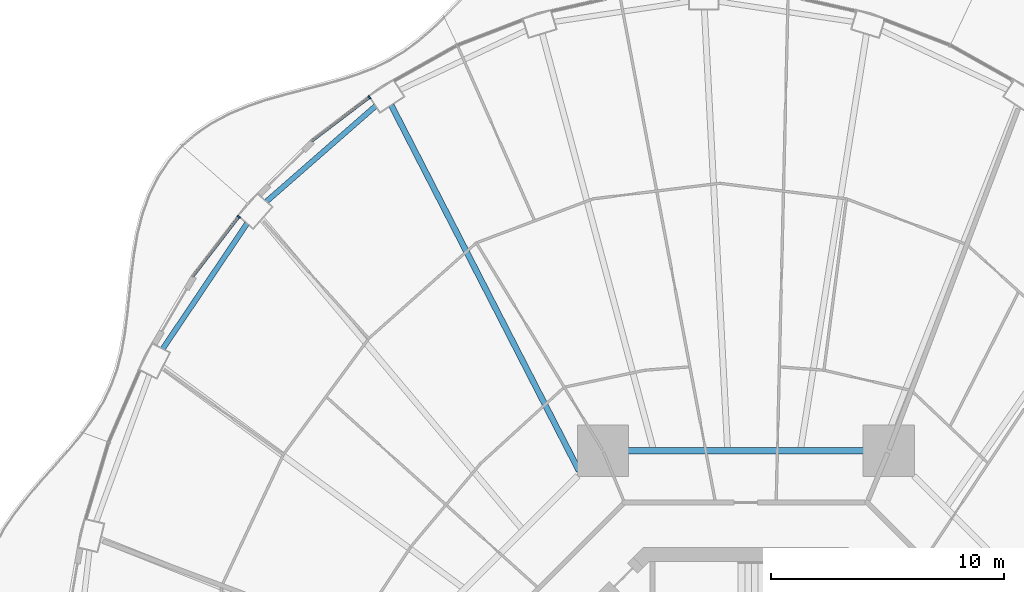
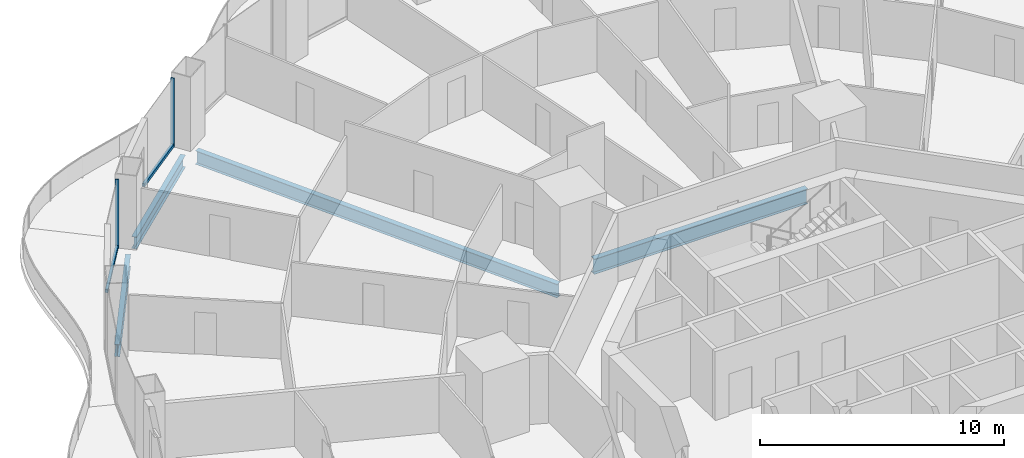
# One storey, part 8 of 22: 4 beams, 4 members, 2 elements without a shape of their own.
"""IFC4 building model written with IfcOpenShell, lengths in metres."""

from ifc_helpers import new_model, si_unit, direction, frame, origin, origin_2d, place, context, subcontext, project, spatial, rectangle, i_section, extrude, material, layer, layer_set, material_profile, profile_set, type_object, element, aggregate, save


model = new_model("IFC4")

# Units and contexts
model_context = context("Model", 3, precision=1e-05, world=origin(), true_north=direction((0.0, 1.0)))
body_context = subcontext(model_context, "Body", "Model", "MODEL_VIEW")
ifc_project = project(units=[si_unit("LENGTHUNIT", "METRE"), si_unit("AREAUNIT", "SQUARE_METRE"), si_unit("VOLUMEUNIT", "CUBIC_METRE"), si_unit("PLANEANGLEUNIT", "RADIAN"), si_unit("MASSUNIT", "GRAM", prefix="KILO")], contexts=[model_context])

# Site, building, storey
site_placement = place(None, origin())
site = spatial("IfcSite", under=ifc_project, at=site_placement, CompositionType="ELEMENT")
building_placement = place(site_placement, origin())
building = spatial("IfcBuilding", under=site, at=building_placement, Name="Nagisa Residences", CompositionType="ELEMENT")
storey_placement = place(building_placement, frame((0.0, 0.0, 106.60009765625)))
storey = spatial("IfcBuildingStorey", under=building, at=storey_placement, Name="L26", CompositionType="ELEMENT", Elevation=106.60009765625)

# Curtain wall, member
ifc_material_1 = material(Name="Concrete-coloured aluminium curtain wall system", Category="concrete")
ifc_layer = layer(ifc_material_1, 0.159912109375)
ifc_layer_set = layer_set([ifc_layer], Name="CW1 CURTAIN WALL")
curtain_wall_type = type_object("IfcCurtainWallType", Name="CW1 CURTAIN WALL", PredefinedType="NOTDEFINED", material=ifc_layer_set)
curtain_wall_1_placement = place(storey_placement, origin())
curtain_wall_1 = element("IfcCurtainWall", 1, at=curtain_wall_1_placement, inside=storey, type_object=curtain_wall_type, Name="cw:CW1:L26:16", PredefinedType="NOTDEFINED")
ifc_material_2 = material(Name="Concrete-coloured aluminium", Category="concrete")
ifc_material_profile_1 = material_profile(ifc_material_2, rectangle(XDim=0.159912109375, YDim=0.06005859375, at=origin_2d()), Name="CW1 MULLION 160x60")
ifc_profile_set_1 = profile_set([ifc_material_profile_1], Name="Concrete-coloured aluminium")
member_type_1 = type_object("IfcMemberType", Name="CW1 MULLION 160x60", PredefinedType="MULLION", material=ifc_profile_set_1)
member_1_placement = place(storey_placement, frame((-16.140380859375, 29.935302734375, 0.0), z_axis=(0.0, 0.0, 1.0), x_axis=(0.605255421737, -0.79603132756, 0.0)))
member_1 = element("IfcMember", 2, at=member_1_placement, type_object=member_type_1, Name="CW1 mullion", PredefinedType="MULLION", context=body_context, shape_type="SweptSolid", body=[
    extrude(rectangle(XDim=0.159912109375, YDim=0.06005859375, at=origin_2d()), origin(), (0.0, 0.0, 1.0), 3.43994140625),
])

curtain_wall_2_placement = place(storey_placement, origin())
curtain_wall_2 = element("IfcCurtainWall", 3, at=curtain_wall_2_placement, inside=storey, type_object=curtain_wall_type, Name="cw:CW1:L26:18", PredefinedType="NOTDEFINED")
member_2_placement = place(storey_placement, frame((-21.735107421875, 24.814697265625, 0.0), z_axis=(0.0, 0.0, 1.0), x_axis=(0.792070340816, -0.610429828235, 0.0)))
member_2 = element("IfcMember", 4, at=member_2_placement, type_object=member_type_1, Name="CW1 mullion", PredefinedType="MULLION", context=body_context, shape_type="SweptSolid", body=[
    extrude(rectangle(XDim=0.159912109375, YDim=0.06005859375, at=origin_2d()), origin(), (0.0, 0.0, 1.0), 3.43994140625),
])

# Member
ifc_material_3 = material(Name="Concrete-coloured aluminium", Category="concrete")
ifc_material_profile_2 = material_profile(ifc_material_3, rectangle(XDim=0.1201171875, YDim=0.14990234375, at=origin_2d()), Name="CW1 TRANSOM 120x150")
ifc_profile_set_2 = profile_set([ifc_material_profile_2], Name="Concrete-coloured aluminium")
member_type_2 = type_object("IfcMemberType", Name="CW1 TRANSOM 120x150", PredefinedType="USERDEFINED", material=ifc_profile_set_2)
member_3_placement = place(storey_placement, frame((-16.116455078125, 29.953369140625, 0.074951171875), z_axis=(-0.796066111963, -0.605209670598, 0.0), x_axis=(0.605209670598, -0.796066111963, 0.0)))
member_3 = element("IfcMember", 5, at=member_3_placement, type_object=member_type_2, Name="CW1 transom", ObjectType="TRANSOM", PredefinedType="USERDEFINED", context=body_context, shape_type="SweptSolid", body=[
    extrude(rectangle(XDim=0.1201171875, YDim=0.14990234375, at=origin_2d()), origin(), (0.0, 0.0, 1.0), 3.134033203125),
])

aggregate(curtain_wall_1, [member_1, member_3])

member_4_placement = place(storey_placement, frame((-21.716796875, 24.83837890625, 0.074951171875), z_axis=(-0.61041202934, -0.792084057684, 0.0), x_axis=(0.792084057684, -0.61041202934, 0.0)))
member_4 = element("IfcMember", 6, at=member_4_placement, type_object=member_type_2, Name="CW1 transom", ObjectType="TRANSOM", PredefinedType="USERDEFINED", context=body_context, shape_type="SweptSolid", body=[
    extrude(rectangle(XDim=0.1201171875, YDim=0.14990234375, at=origin_2d()), origin(), (0.0, 0.0, 1.0), 3.262939453125),
])

aggregate(curtain_wall_2, [member_2, member_4])

# Beams
ifc_material_4 = material(Name="Steel ASTM A572 Gr 50", Category="steel")
ifc_material_profile_3 = material_profile(ifc_material_4, i_section(OverallWidth=0.264892578125, OverallDepth=0.7529296875, WebThickness=0.01318359375, FlangeThickness=0.01708984375, at=origin_2d()), Name="W760x147")
ifc_profile_set_3 = profile_set([ifc_material_profile_3], Name="Steel ASTM A572 Gr 50")
beam_type_1 = type_object("IfcBeamType", Name="Inner ring beam W760x147", PredefinedType="BEAM", material=ifc_profile_set_3)
beam_1_placement = place(storey_placement, frame((5.04296875, 14.781982421875, -0.63671875), z_axis=(-1.0, 0.0, 0.0), x_axis=(0.0, -1.0, 0.0)))
element("IfcBeam", 7, at=beam_1_placement, inside=storey, type_object=beam_type_1, Name="beam:L26:ib2", PredefinedType="BEAM", context=body_context, shape_type="SweptSolid", body=[
    extrude(i_section(OverallWidth=0.264892578125, OverallDepth=0.7529296875, WebThickness=0.01318359375, FlangeThickness=0.01708984375, at=origin_2d()), origin(), (0.0, 0.0, 1.0), 10.0859375),
])
ifc_material_5 = material(Name="Steel ASTM A572 Gr 50", Category="steel")
ifc_material_profile_4 = material_profile(ifc_material_5, i_section(OverallWidth=0.22802734375, OverallDepth=0.60302734375, WebThickness=0.010498046875, FlangeThickness=0.014892578125, at=origin_2d()), Name="W610x101")
ifc_profile_set_4 = profile_set([ifc_material_profile_4], Name="Steel ASTM A572 Gr 50")
beam_type_2 = type_object("IfcBeamType", Name="Perimeter ring beam W610x101", PredefinedType="BEAM", material=ifc_profile_set_4)
beam_2_placement = place(storey_placement, frame((-15.876220703125, 29.55859375, -0.5615234375), z_axis=(-0.752542612886, -0.658543556488, 0.0), x_axis=(0.658543556488, -0.752542612886, 0.0)))
element("IfcBeam", 8, at=beam_2_placement, inside=storey, type_object=beam_type_2, Name="beam:L26:pb09", PredefinedType="BEAM", context=body_context, shape_type="SweptSolid", body=[
    extrude(i_section(OverallWidth=0.22802734375, OverallDepth=0.60302734375, WebThickness=0.010498046875, FlangeThickness=0.014892578125, at=origin_2d()), origin(), (0.0, 0.0, 1.0), 6.212646484375),
])
beam_3_placement = place(storey_placement, frame((-21.384521484375, 24.521484375, -0.5615234375), z_axis=(-0.558221079259, -0.829692248168, 0.0), x_axis=(0.829692248168, -0.558221079259, 0.0)))
element("IfcBeam", 9, at=beam_3_placement, inside=storey, type_object=beam_type_2, Name="beam:L26:pb10", PredefinedType="BEAM", context=body_context, shape_type="SweptSolid", body=[
    extrude(i_section(OverallWidth=0.22802734375, OverallDepth=0.60302734375, WebThickness=0.010498046875, FlangeThickness=0.014892578125, at=origin_2d()), origin(), (0.0, 0.0, 1.0), 6.471435546875),
])
ifc_material_6 = material(Name="Steel ASTM A572 Gr 50", Category="steel")
ifc_material_profile_5 = material_profile(ifc_material_6, i_section(OverallWidth=0.2529296875, OverallDepth=0.677978515625, WebThickness=0.01171875, FlangeThickness=0.016357421875, at=origin_2d()), Name="W690x125")
ifc_profile_set_5 = profile_set([ifc_material_profile_5], Name="Steel ASTM A572 Gr 50")
beam_type_3 = type_object("IfcBeamType", Name="Radial beam W690x125", PredefinedType="BEAM", material=ifc_profile_set_5)
beam_4_placement = place(storey_placement, frame((-15.199951171875, 29.5927734375, -0.59912109375), z_axis=(0.456890609608, -0.889522889448, 0.0), x_axis=(0.889522889448, 0.456890609608, 0.0)))
element("IfcBeam", 10, at=beam_4_placement, inside=storey, type_object=beam_type_3, Name="beam:L26:rb09", PredefinedType="BEAM", context=body_context, shape_type="SweptSolid", body=[
    extrude(i_section(OverallWidth=0.2529296875, OverallDepth=0.677978515625, WebThickness=0.01171875, FlangeThickness=0.016357421875, at=origin_2d()), origin(), (0.0, 0.0, 1.0), 17.622314453125),
])

save(model, "model.ifc")
